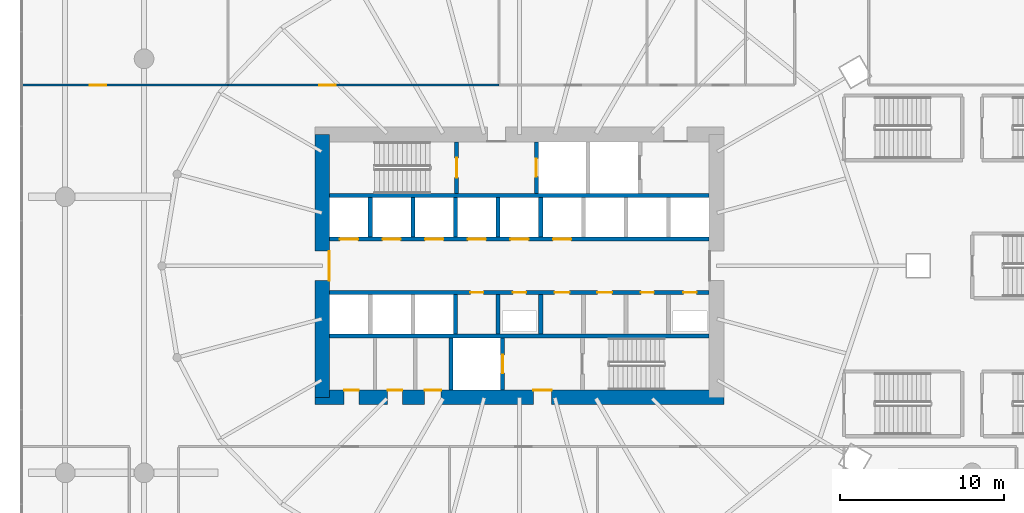
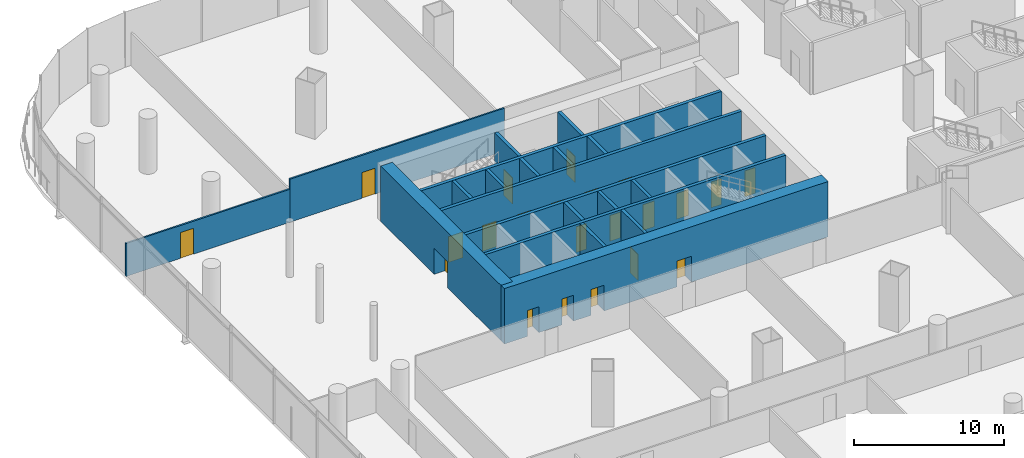
# One storey, part 27 of 43: 22 doors, 20 walls, 22 openings.
"""IFC4 building model written with IfcOpenShell, lengths in metres."""

import ifcopenshell
import ifcopenshell.guid

model = None  # the IFC model being written
_history = None  # IfcOwnerHistory: only IFC2X3 demands one
_inside = {}  # id of a spatial element -> (the spatial element, [elements in it])
_under = {}  # id of a project, library or spatial element -> (it, [spatial elements below it])
_declared = {}  # id of a project -> (the project, [libraries it declares])
_typed = {}  # id of a type object -> (the type object, [elements of that type])
_made_of = {}  # id of a material, layer set ... -> (it, [elements and type objects made of it])


def new_model(schema):
    """Start an empty IFC model of exactly this schema.

    Asked for "IFC4X3", IfcOpenShell would pick the latest addendum, in which some entities
    have other attributes; the version numbers below select the first issue.
    IFC2X3 requires an IfcOwnerHistory on every rooted entity: one is made here for all.
    """
    global model, _history
    if schema == "IFC4X3":
        model = ifcopenshell.file(schema_version=(4, 3, 0, 0))
    else:
        model = ifcopenshell.file(schema=schema)
    _inside.clear()
    _under.clear()
    _declared.clear()
    _typed.clear()
    _made_of.clear()
    _history = None
    if model.schema == "IFC2X3":
        org = make("IfcOrganization", Name="unknown")
        user = make(
            "IfcPersonAndOrganization",
            ThePerson=make("IfcPerson", FamilyName="unknown"),
            TheOrganization=org,
        )
        app = make(
            "IfcApplication",
            ApplicationDeveloper=org,
            Version="unknown",
            ApplicationFullName="unknown",
            ApplicationIdentifier="unknown",
        )
        _history = make(
            "IfcOwnerHistory",
            OwningUser=user,
            OwningApplication=app,
            ChangeAction="ADDED",
            CreationDate=0,
        )
    return model


def make(cls, **values):
    """One entity of the class cls with the attributes given. An attribute that is None is left unset."""
    return model.create_entity(
        cls, **{name: value for name, value in values.items() if value is not None}
    )


def rooted(cls, **values):
    """An entity with a GlobalId (a new one), such as an element, a storey or a relation."""
    return make(cls, GlobalId=ifcopenshell.guid.new(), OwnerHistory=_history, **values)


def si_unit(unit_type, name, prefix=None):
    """IfcSIUnit, for example si_unit("LENGTHUNIT", "METRE", prefix="MILLI")."""
    return make("IfcSIUnit", UnitType=unit_type, Prefix=prefix, Name=name)


def assignment(units):
    """IfcUnitAssignment: the units of a project."""
    return None if units is None else make("IfcUnitAssignment", Units=units)


def point(xyz):
    """IfcCartesianPoint."""
    return None if xyz is None else make("IfcCartesianPoint", Coordinates=xyz)


def direction(xyz):
    """IfcDirection."""
    return None if xyz is None else make("IfcDirection", DirectionRatios=xyz)


def frame(location, z_axis=None, x_axis=None):
    """IfcAxis2Placement3D, a coordinate frame: its origin and axes. An axis left out is left unset."""
    return make(
        "IfcAxis2Placement3D",
        Location=point(location),
        Axis=direction(z_axis),
        RefDirection=direction(x_axis),
    )


def frame_2d(location, x_axis=None):
    """IfcAxis2Placement2D, a coordinate frame in the plane: its origin and x axis."""
    return make(
        "IfcAxis2Placement2D", Location=point(location), RefDirection=direction(x_axis)
    )


def origin():
    """The frame at (0, 0, 0) with its axes left unset."""
    return frame((0.0, 0.0, 0.0))


def place(relative_to, where):
    """IfcLocalPlacement: puts the frame where relative to a parent placement (None: the world)."""
    return make(
        "IfcLocalPlacement", PlacementRelTo=relative_to, RelativePlacement=where
    )


def context(
    kind, dimensions, precision=None, world=None, true_north=None, identifier=None
):
    """IfcGeometricRepresentationContext, for example the 3D "Model" context."""
    return make(
        "IfcGeometricRepresentationContext",
        ContextIdentifier=identifier,
        ContextType=kind,
        CoordinateSpaceDimension=dimensions,
        Precision=precision,
        WorldCoordinateSystem=world,
        TrueNorth=true_north,
    )


def subcontext(parent, identifier, kind, view, scale=None):
    """IfcGeometricRepresentationSubContext, for example "Body" below "Model"."""
    return make(
        "IfcGeometricRepresentationSubContext",
        ContextIdentifier=identifier,
        ContextType=kind,
        ParentContext=parent,
        TargetScale=scale,
        TargetView=view,
    )


def project(units=None, contexts=None):
    """IfcProject with its units and contexts."""
    return rooted(
        "IfcProject",
        Name="project",
        RepresentationContexts=contexts,
        UnitsInContext=assignment(units),
    )


def spatial(cls, under=None, at=None, **own):
    """A site, building, storey or space (cls), placed at a placement, below another one or the project."""
    s = rooted(cls, ObjectPlacement=at, **own)
    if under is not None:
        _under.setdefault(under.id(), (under, []))[1].append(s)
    return s


def profile(cls, at=None, kind="AREA", **sizes):
    """A parametric profile (cls). Its sizes go by their IFC names, for example OverallWidth=200.0."""
    return make(cls, ProfileType=kind, Position=at, **sizes)


def rectangle(**sizes):
    """IfcRectangleProfileDef."""
    return profile("IfcRectangleProfileDef", **sizes)


def extrude(swept, where, along, depth):
    """IfcExtrudedAreaSolid: the profile swept, set in the frame where, extruded along a direction by depth."""
    return make(
        "IfcExtrudedAreaSolid",
        SweptArea=swept,
        Position=where,
        ExtrudedDirection=direction(along),
        Depth=depth,
    )


def shape(context_of_items, identifier, shape_type, items):
    """IfcShapeRepresentation: the items that make up one representation, for example the "Body"."""
    return make(
        "IfcShapeRepresentation",
        ContextOfItems=context_of_items,
        RepresentationIdentifier=identifier,
        RepresentationType=shape_type,
        Items=items,
    )


def material(Name=None, Category=None):
    """IfcMaterial."""
    return make("IfcMaterial", Name=Name, Category=Category)


def layer(
    of_material, thickness, ventilated=None, Name=None, Category=None, Priority=None
):
    """IfcMaterialLayer: one layer of a wall or slab, of a material (None: an air gap)."""
    return make(
        "IfcMaterialLayer",
        Material=of_material,
        LayerThickness=thickness,
        IsVentilated=ventilated,
        Name=Name,
        Category=Category,
        Priority=Priority,
    )


def layer_set(layers, Name=None):
    """IfcMaterialLayerSet."""
    return make("IfcMaterialLayerSet", MaterialLayers=layers, LayerSetName=Name)


def made_of(thing, what):
    """Note that an element or type object is made of a material, layer set ...; save() writes the relation."""
    if what is not None:
        _made_of.setdefault(what.id(), (what, []))[1].append(thing)
    return thing


def type_object(cls, material=None, **own):
    """A type object (cls), such as IfcWallType, which elements share."""
    return made_of(rooted(cls, **own), material)


def element(
    cls,
    number,
    at=None,
    inside=None,
    cuts=None,
    type_object=None,
    material=None,
    context=None,
    identifier="Body",
    shape_type=None,
    held_by="IfcProductDefinitionShape",
    body=None,
    shapes=None,
    **own,
):
    """One element of the class cls, such as IfcWall. Its Tag is "e" and its number.

    at: its placement. inside: the storey or other place that contains it. cuts: it is an
    opening in that element (IfcRelVoidsElement). A single representation is given by context,
    identifier, shape_type and body (its items); several are given by shapes. held_by: the class
    of the entity that holds the representations. save() writes the other relations.
    """
    e = rooted(cls, Tag="e%d" % number, ObjectPlacement=at, **own)
    if body is not None:
        shapes = [shape(context, identifier, shape_type, body)]
    if shapes is not None:
        e.Representation = make(held_by, Representations=shapes)
    if inside is not None:
        _inside.setdefault(inside.id(), (inside, []))[1].append(e)
    if cuts is not None:
        rooted(
            "IfcRelVoidsElement", RelatingBuildingElement=cuts, RelatedOpeningElement=e
        )
    if type_object is not None:
        _typed.setdefault(type_object.id(), (type_object, []))[1].append(e)
    return made_of(e, material)


def fill(opening, filler):
    """IfcRelFillsElement: the door or window that sits in an opening."""
    return rooted(
        "IfcRelFillsElement",
        RelatingOpeningElement=opening,
        RelatedBuildingElement=filler,
    )


def aggregate(whole, parts):
    """IfcRelAggregates: a whole, such as a stair, and the parts it consists of."""
    return rooted("IfcRelAggregates", RelatingObject=whole, RelatedObjects=parts)


def save(model, path):
    """Write the relations noted so far, then the file.

    IfcRelAggregates (storeys below a building ...), IfcRelContainedInSpatialStructure (elements
    in a storey), IfcRelDefinesByType, IfcRelAssociatesMaterial and IfcRelDeclares: one each for
    every whole, place, type object, material and project.
    """
    for whole, parts in _under.values():
        aggregate(whole, parts)
    for where, things in _inside.values():
        rooted(
            "IfcRelContainedInSpatialStructure",
            RelatedElements=things,
            RelatingStructure=where,
        )
    for kind, things in _typed.values():
        rooted("IfcRelDefinesByType", RelatedObjects=things, RelatingType=kind)
    for what, things in _made_of.values():
        rooted("IfcRelAssociatesMaterial", RelatedObjects=things, RelatingMaterial=what)
    for by, libraries in _declared.values():
        rooted("IfcRelDeclares", RelatingContext=by, RelatedDefinitions=libraries)
    model.write(path)


model = new_model("IFC4")

# Units and contexts
model_context = context("Model", 3, precision=1e-05, world=origin(), true_north=direction((0.0, 1.0)))
body_context = subcontext(model_context, "Body", "Model", "MODEL_VIEW")
ifc_project = project(units=[si_unit("LENGTHUNIT", "METRE"), si_unit("AREAUNIT", "SQUARE_METRE"), si_unit("VOLUMEUNIT", "CUBIC_METRE"), si_unit("PLANEANGLEUNIT", "RADIAN"), si_unit("MASSUNIT", "GRAM", prefix="KILO")], contexts=[model_context])

# Site, building, storey
site_placement = place(None, origin())
site = spatial("IfcSite", under=ifc_project, at=site_placement, CompositionType="ELEMENT")
building_placement = place(site_placement, origin())
building = spatial("IfcBuilding", under=site, at=building_placement, Name="Rimbun Link Towers", CompositionType="ELEMENT")
storey_placement = place(building_placement, frame((0.0, 0.0, 12.0)))
storey = spatial("IfcBuildingStorey", under=building, at=storey_placement, Name="L02", CompositionType="ELEMENT", Elevation=12.0)

# Wall, openings, doors
ifc_material_1 = material(Name="Concrete C60/75", Category="concrete")
ifc_layer_1 = layer(ifc_material_1, 0.89990234375)
ifc_layer_set_1 = layer_set([ifc_layer_1], Name="Core shear wall 900")
wall_type_1 = type_object("IfcWallType", Name="Core shear wall 900", PredefinedType="SHEAR", material=ifc_layer_set_1)
wall_1_placement = place(storey_placement, frame((-44.199951171875, -8.0, 0.0), z_axis=(0.0, 0.0, 1.0), x_axis=(1.0, 0.0, 0.0)))
wall_1 = element("IfcWall", 1, at=wall_1_placement, inside=storey, type_object=wall_type_1, Name="L02 T1 core wall S", PredefinedType="SHEAR", context=body_context, shape_type="SweptSolid", body=[
    extrude(rectangle(XDim=24.89990234375, YDim=0.89990234375, at=frame_2d((12.449951171875, 0.0))), origin(), (0.0, 0.0, 1.0), 4.5),
])
opening_1_placement = place(wall_1_placement, frame((13.300048828125, 0.0, 0.0)))
opening_1 = element("IfcOpeningElement", 2, at=opening_1_placement, cuts=wall_1, Name="Opening C1DCF01S", PredefinedType="OPENING", context=body_context, shape_type="SweptSolid", body=[
    extrude(rectangle(XDim=1.10009765625, YDim=2.10009765625, at=frame_2d((0.550048828125, 1.050048828125))), frame((0.0, 0.4599609375, 0.0), z_axis=(0.0, -1.0, 0.0), x_axis=(1.0, 0.0, 0.0)), (0.0, 0.0, 1.0), 0.919921875),
])
opening_2_placement = place(wall_1_placement, frame((1.77490234375, 0.0, 0.0)))
opening_2 = element("IfcOpeningElement", 3, at=opening_2_placement, cuts=wall_1, Name="Opening C1DWC02S", PredefinedType="OPENING", context=body_context, shape_type="SweptSolid", body=[
    extrude(rectangle(XDim=0.89990234375, YDim=2.10009765625, at=frame_2d((0.449951171875, 1.050048828125))), frame((0.0, 0.4599609375, 0.0), z_axis=(0.0, -1.0, 0.0), x_axis=(1.0, 0.0, 0.0)), (0.0, 0.0, 1.0), 0.919921875),
])
opening_3_placement = place(wall_1_placement, frame((4.425048828125, 0.0, 0.0)))
opening_3 = element("IfcOpeningElement", 4, at=opening_3_placement, cuts=wall_1, Name="Opening C1DWC03S", PredefinedType="OPENING", context=body_context, shape_type="SweptSolid", body=[
    extrude(rectangle(XDim=0.89990234375, YDim=2.10009765625, at=frame_2d((0.449951171875, 1.050048828125))), frame((0.0, 0.4599609375, 0.0), z_axis=(0.0, -1.0, 0.0), x_axis=(1.0, 0.0, 0.0)), (0.0, 0.0, 1.0), 0.919921875),
])
opening_4_placement = place(wall_1_placement, frame((6.675048828125, 0.0, 0.0)))
opening_4 = element("IfcOpeningElement", 5, at=opening_4_placement, cuts=wall_1, Name="Opening C1DAW04S", PredefinedType="OPENING", context=body_context, shape_type="SweptSolid", body=[
    extrude(rectangle(XDim=1.0, YDim=2.10009765625, at=frame_2d((0.5, 1.050048828125))), frame((0.0, 0.4599609375, 0.0), z_axis=(0.0, -1.0, 0.0), x_axis=(1.0, 0.0, 0.0)), (0.0, 0.0, 1.0), 0.919921875),
])
ifc_material_2 = material(Name="Timber", Category="wood")
door_type_1 = type_object("IfcDoorType", Name="Accessible WC door", OperationType="SINGLE_SWING_LEFT", PredefinedType="DOOR", material=ifc_material_2)
door_1_placement = place(opening_4_placement, origin())
door_1 = element("IfcDoor", 6, at=door_1_placement, inside=storey, type_object=door_type_1, Name="L02 T1 accessible wc door", OperationType="SINGLE_SWING_RIGHT", OverallHeight=2.10009765625, OverallWidth=1.0, PredefinedType="DOOR", context=body_context, shape_type="SweptSolid", body=[
    extrude(rectangle(XDim=1.0, YDim=2.10009765625, at=frame_2d((0.5, 1.050048828125))), frame((0.0, 0.4501953125, 0.0), z_axis=(0.0, -1.0, 0.0), x_axis=(1.0, 0.0, 0.0)), (0.0, 0.0, 1.0), 0.050048828125),
])
fill(opening_4, door_1)
ifc_material_3 = material(Name="Steel fire door set", Category="steel")
door_type_2 = type_object("IfcDoorType", Name="Core fire door single", OperationType="SINGLE_SWING_LEFT", PredefinedType="DOOR", material=ifc_material_3)
door_2_placement = place(opening_1_placement, origin())
door_2 = element("IfcDoor", 7, at=door_2_placement, inside=storey, type_object=door_type_2, Name="L02 T1 firefighting lobby s door", OperationType="SINGLE_SWING_RIGHT", OverallHeight=2.10009765625, OverallWidth=1.10009765625, PredefinedType="DOOR", context=body_context, shape_type="SweptSolid", body=[
    extrude(rectangle(XDim=1.10009765625, YDim=2.10009765625, at=frame_2d((0.550048828125, 1.050048828125))), frame((0.0, 0.4501953125, 0.0), z_axis=(0.0, -1.0, 0.0), x_axis=(1.0, 0.0, 0.0)), (0.0, 0.0, 1.0), 0.050048828125),
])
fill(opening_1, door_2)
ifc_material_4 = material(Name="Timber", Category="wood")
door_type_3 = type_object("IfcDoorType", Name="WC door", OperationType="SINGLE_SWING_LEFT", PredefinedType="DOOR", material=ifc_material_4)
door_3_placement = place(opening_2_placement, origin())
door_3 = element("IfcDoor", 8, at=door_3_placement, inside=storey, type_object=door_type_3, Name="L02 T1 male wc door", OperationType="SINGLE_SWING_LEFT", OverallHeight=2.10009765625, OverallWidth=0.89990234375, PredefinedType="DOOR", context=body_context, shape_type="SweptSolid", body=[
    extrude(rectangle(XDim=0.89990234375, YDim=2.10009765625, at=frame_2d((0.449951171875, 1.050048828125))), frame((0.0, 0.4501953125, 0.0), z_axis=(0.0, -1.0, 0.0), x_axis=(1.0, 0.0, 0.0)), (0.0, 0.0, 1.0), 0.050048828125),
])
fill(opening_2, door_3)
door_4_placement = place(opening_3_placement, origin())
door_4 = element("IfcDoor", 9, at=door_4_placement, inside=storey, type_object=door_type_3, Name="L02 T1 female wc door", OperationType="SINGLE_SWING_RIGHT", OverallHeight=2.10009765625, OverallWidth=0.89990234375, PredefinedType="DOOR", context=body_context, shape_type="SweptSolid", body=[
    extrude(rectangle(XDim=0.89990234375, YDim=2.10009765625, at=frame_2d((0.449951171875, 1.050048828125))), frame((0.0, 0.4501953125, 0.0), z_axis=(0.0, -1.0, 0.0), x_axis=(1.0, 0.0, 0.0)), (0.0, 0.0, 1.0), 0.050048828125),
])
fill(opening_3, door_4)

# Wall, opening, door
wall_2_placement = place(storey_placement, frame((-43.75, -8.0, 0.0), z_axis=(0.0, 0.0, 1.0), x_axis=(0.0, 1.0, 0.0)))
wall_2 = element("IfcWall", 10, at=wall_2_placement, inside=storey, type_object=wall_type_1, Name="L02 T1 core wall W", PredefinedType="SHEAR", context=body_context, shape_type="SweptSolid", body=[
    extrude(rectangle(XDim=16.0, YDim=0.89990234375, at=frame_2d((8.0, 0.0))), origin(), (0.0, 0.0, 1.0), 4.5),
])
opening_5_placement = place(wall_2_placement, frame((7.10009765625, 0.0, 0.0)))
opening_5 = element("IfcOpeningElement", 11, at=opening_5_placement, cuts=wall_2, Name="Opening C1DCL01W", PredefinedType="OPENING", context=body_context, shape_type="SweptSolid", body=[
    extrude(rectangle(XDim=1.800048828125, YDim=2.10009765625, at=frame_2d((0.89990234375, 1.050048828125))), frame((0.0, 0.4599609375, 0.0), z_axis=(0.0, -1.0, 0.0), x_axis=(1.0, 0.0, 0.0)), (0.0, 0.0, 1.0), 0.919921875),
])
ifc_material_5 = material(Name="Steel fire door set", Category="steel")
door_type_4 = type_object("IfcDoorType", Name="Core lobby door double", OperationType="DOUBLE_DOOR_SINGLE_SWING", PredefinedType="DOOR", material=ifc_material_5)
door_5_placement = place(opening_5_placement, origin())
door_5 = element("IfcDoor", 12, at=door_5_placement, inside=storey, type_object=door_type_4, Name="L02 T1 lift lobby door", OperationType="DOUBLE_DOOR_SINGLE_SWING", OverallHeight=2.10009765625, OverallWidth=1.800048828125, PredefinedType="DOOR", context=body_context, shape_type="SweptSolid", body=[
    extrude(rectangle(XDim=1.800048828125, YDim=2.10009765625, at=frame_2d((0.89990234375, 1.050048828125))), frame((0.0, -0.39990234375, 0.0), z_axis=(0.0, -1.0, 0.0), x_axis=(1.0, 0.0, 0.0)), (0.0, 0.0, 1.0), 0.050048828125),
])
fill(opening_5, door_5)

ifc_material_6 = material(Name="Gypsum board on steel studs", Category="steel")
ifc_layer_2 = layer(ifc_material_6, 0.125)
ifc_layer_set_2 = layer_set([ifc_layer_2], Name="Partition 125 board on studs")
wall_type_2 = type_object("IfcWallType", Name="Partition 125 board on studs", PredefinedType="PARTITIONING", material=ifc_layer_set_2)
wall_3_placement = place(storey_placement, frame((-49.5, 11.0, 0.0), z_axis=(0.0, 0.0, 1.0), x_axis=(-1.0, 0.0, 0.0)))
wall_3 = element("IfcWall", 13, at=wall_3_placement, inside=storey, type_object=wall_type_2, Name="PD/PW/L02/038", PredefinedType="PARTITIONING", context=body_context, shape_type="SweptSolid", body=[
    extrude(rectangle(XDim=12.580078125, YDim=0.125, at=frame_2d((6.2900390625, 0.0))), origin(), (0.0, 0.0, 1.0), 2.679931640625),
])
opening_6_placement = place(wall_3_placement, frame((7.39208984375, 0.0, 0.0)))
opening_6 = element("IfcOpeningElement", 14, at=opening_6_placement, cuts=wall_3, Name="Opening PD D02.26", PredefinedType="OPENING", context=body_context, shape_type="SweptSolid", body=[
    extrude(rectangle(XDim=1.0, YDim=2.10009765625, at=frame_2d((0.5, 1.050048828125))), frame((0.0, 0.072509765625, 0.0), z_axis=(0.0, -1.0, 0.0), x_axis=(1.0, 0.0, 0.0)), (0.0, 0.0, 1.0), 0.14501953125),
])
ifc_material_7 = material(Name="Timber door set", Category="wood")
door_type_5 = type_object("IfcDoorType", Name="Door single leaf 1000 x 2100", OperationType="NOTDEFINED", PredefinedType="DOOR", material=ifc_material_7)
door_6_placement = place(opening_6_placement, origin())
door_6 = element("IfcDoor", 15, at=door_6_placement, inside=storey, type_object=door_type_5, Name="PD/DR/L02/026", OperationType="SINGLE_SWING_LEFT", OverallHeight=2.10009765625, OverallWidth=1.0, PredefinedType="DOOR", context=body_context, shape_type="SweptSolid", body=[
    extrude(rectangle(XDim=1.0, YDim=2.10009765625, at=frame_2d((0.5, 1.050048828125))), frame((0.0, 0.02490234375, 0.0), z_axis=(0.0, -1.0, 0.0), x_axis=(1.0, 0.0, 0.0)), (0.0, 0.0, 1.0), 0.050048828125),
])
fill(opening_6, door_6)

wall_4_placement = place(storey_placement, frame((-33.0, 11.0, 0.0), z_axis=(0.0, 0.0, 1.0), x_axis=(-1.0, 0.0, 0.0)))
wall_4 = element("IfcWall", 16, at=wall_4_placement, inside=storey, type_object=wall_type_2, Name="PD/PW/L02/039", PredefinedType="PARTITIONING", context=body_context, shape_type="SweptSolid", body=[
    extrude(rectangle(XDim=16.5, YDim=0.125, at=frame_2d((8.25, 0.0))), origin(), (0.0, 0.0, 1.0), 3.49609375),
])
opening_7_placement = place(wall_4_placement, frame((9.93994140625, 0.0, 0.0)))
opening_7 = element("IfcOpeningElement", 17, at=opening_7_placement, cuts=wall_4, Name="Opening PD D02.27", PredefinedType="OPENING", context=body_context, shape_type="SweptSolid", body=[
    extrude(rectangle(XDim=1.0, YDim=2.10009765625, at=frame_2d((0.5, 1.050048828125))), frame((0.0, 0.072509765625, 0.0), z_axis=(0.0, -1.0, 0.0), x_axis=(1.0, 0.0, 0.0)), (0.0, 0.0, 1.0), 0.14501953125),
])
door_7_placement = place(opening_7_placement, origin())
door_7 = element("IfcDoor", 18, at=door_7_placement, inside=storey, type_object=door_type_5, Name="PD/DR/L02/027", OperationType="SINGLE_SWING_RIGHT", OverallHeight=2.10009765625, OverallWidth=1.0, PredefinedType="DOOR", context=body_context, shape_type="SweptSolid", body=[
    extrude(rectangle(XDim=1.0, YDim=2.10009765625, at=frame_2d((0.5, 1.050048828125))), frame((0.0, 0.02490234375, 0.0), z_axis=(0.0, -1.0, 0.0), x_axis=(1.0, 0.0, 0.0)), (0.0, 0.0, 1.0), 0.050048828125),
])
fill(opening_7, door_7)

# Walls
ifc_material_8 = material(Name="Concrete C60/75", Category="concrete")
ifc_layer_3 = layer(ifc_material_8, 0.25)
ifc_layer_set_3 = layer_set([ifc_layer_3], Name="Shaft wall 250")
wall_type_3 = type_object("IfcWallType", Name="Shaft wall 250", PredefinedType="SHEAR", material=ifc_layer_set_3)
for number, where, z_axis, x_axis, name in (
    (19, (-43.300048828125, 4.27490234375, 0.0), (0.0, 0.0, 1.0), (1.0, 0.0, 0.0), "L02 T1 core wall BN"),
    (20, (-43.300048828125, -4.27490234375, 0.0), (0.0, 0.0, 1.0), (1.0, 0.0, 0.0), "L02 T1 core wall BS"),
):
    element("IfcWall", number, at=place(storey_placement, frame(where, z_axis=z_axis, x_axis=x_axis)), inside=storey, type_object=wall_type_3, Name=name, PredefinedType="SHEAR", context=body_context, shape_type="SweptSolid", body=[
        extrude(rectangle(XDim=23.10009765625, YDim=0.25, at=frame_2d((11.550048828125, 0.0))), origin(), (0.0, 0.0, 1.0), 4.5),
    ])

# Wall, openings, doors
wall_5_placement = place(storey_placement, frame((-43.300048828125, 1.625, 0.0), z_axis=(0.0, 0.0, 1.0), x_axis=(1.0, 0.0, 0.0)))
wall_5 = element("IfcWall", 21, at=wall_5_placement, inside=storey, type_object=wall_type_3, Name="L02 T1 core wall FN", PredefinedType="SHEAR", context=body_context, shape_type="SweptSolid", body=[
    extrude(rectangle(XDim=23.10009765625, YDim=0.25, at=frame_2d((11.550048828125, 0.0))), origin(), (0.0, 0.0, 1.0), 4.5),
])
opening_8_placement = place(wall_5_placement, frame((0.622314453125, 0.0, 0.0)))
opening_8 = element("IfcOpeningElement", 22, at=opening_8_placement, cuts=wall_5, Name="Opening LD-T1-LR1", PredefinedType="OPENING", context=body_context, shape_type="SweptSolid", body=[
    extrude(rectangle(XDim=1.10009765625, YDim=2.10009765625, at=frame_2d((0.550048828125, 1.050048828125))), frame((0.0, 0.135009765625, 0.0), z_axis=(0.0, -1.0, 0.0), x_axis=(1.0, 0.0, 0.0)), (0.0, 0.0, 1.0), 0.27001953125),
])
opening_9_placement = place(wall_5_placement, frame((3.216796875, 0.0, 0.0)))
opening_9 = element("IfcOpeningElement", 23, at=opening_9_placement, cuts=wall_5, Name="Opening LD-T1-LR2", PredefinedType="OPENING", context=body_context, shape_type="SweptSolid", body=[
    extrude(rectangle(XDim=1.10009765625, YDim=2.10009765625, at=frame_2d((0.550048828125, 1.050048828125))), frame((0.0, 0.135009765625, 0.0), z_axis=(0.0, -1.0, 0.0), x_axis=(1.0, 0.0, 0.0)), (0.0, 0.0, 1.0), 0.27001953125),
])
opening_10_placement = place(wall_5_placement, frame((5.81103515625, 0.0, 0.0)))
opening_10 = element("IfcOpeningElement", 24, at=opening_10_placement, cuts=wall_5, Name="Opening LD-T1-LR3", PredefinedType="OPENING", context=body_context, shape_type="SweptSolid", body=[
    extrude(rectangle(XDim=1.10009765625, YDim=2.10009765625, at=frame_2d((0.550048828125, 1.050048828125))), frame((0.0, 0.135009765625, 0.0), z_axis=(0.0, -1.0, 0.0), x_axis=(1.0, 0.0, 0.0)), (0.0, 0.0, 1.0), 0.27001953125),
])
opening_11_placement = place(wall_5_placement, frame((8.405517578125, 0.0, 0.0)))
opening_11 = element("IfcOpeningElement", 25, at=opening_11_placement, cuts=wall_5, Name="Opening LD-T1-LR4", PredefinedType="OPENING", context=body_context, shape_type="SweptSolid", body=[
    extrude(rectangle(XDim=1.10009765625, YDim=2.10009765625, at=frame_2d((0.550048828125, 1.050048828125))), frame((0.0, 0.135009765625, 0.0), z_axis=(0.0, -1.0, 0.0), x_axis=(1.0, 0.0, 0.0)), (0.0, 0.0, 1.0), 0.27001953125),
])
opening_12_placement = place(wall_5_placement, frame((11.0, 0.0, 0.0)))
opening_12 = element("IfcOpeningElement", 26, at=opening_12_placement, cuts=wall_5, Name="Opening LD-T1-LR5", PredefinedType="OPENING", context=body_context, shape_type="SweptSolid", body=[
    extrude(rectangle(XDim=1.10009765625, YDim=2.10009765625, at=frame_2d((0.550048828125, 1.050048828125))), frame((0.0, 0.135009765625, 0.0), z_axis=(0.0, -1.0, 0.0), x_axis=(1.0, 0.0, 0.0)), (0.0, 0.0, 1.0), 0.27001953125),
])
opening_13_placement = place(wall_5_placement, frame((13.594482421875, 0.0, 0.0)))
opening_13 = element("IfcOpeningElement", 27, at=opening_13_placement, cuts=wall_5, Name="Opening LD-T1-LR6", PredefinedType="OPENING", context=body_context, shape_type="SweptSolid", body=[
    extrude(rectangle(XDim=1.10009765625, YDim=2.10009765625, at=frame_2d((0.550048828125, 1.050048828125))), frame((0.0, 0.135009765625, 0.0), z_axis=(0.0, -1.0, 0.0), x_axis=(1.0, 0.0, 0.0)), (0.0, 0.0, 1.0), 0.27001953125),
])
ifc_material_9 = material(Name="Stainless steel grade 316", Category="steel")
door_type_6 = type_object("IfcDoorType", Name="Lift landing door", OperationType="DOUBLE_DOOR_SLIDING", PredefinedType="DOOR", material=ifc_material_9)
door_8_placement = place(opening_8_placement, origin())
door_8 = element("IfcDoor", 28, at=door_8_placement, inside=storey, type_object=door_type_6, Name="L02 T1 lift LR1 landing door", OperationType="DOUBLE_DOOR_SLIDING", OverallHeight=2.10009765625, OverallWidth=1.10009765625, PredefinedType="DOOR", context=body_context, shape_type="SweptSolid", body=[
    extrude(rectangle(XDim=1.10009765625, YDim=2.10009765625, at=frame_2d((0.550048828125, 1.050048828125))), frame((0.0, 0.02490234375, 0.0), z_axis=(0.0, -1.0, 0.0), x_axis=(1.0, 0.0, 0.0)), (0.0, 0.0, 1.0), 0.050048828125),
])
fill(opening_8, door_8)
door_9_placement = place(opening_9_placement, origin())
door_9 = element("IfcDoor", 29, at=door_9_placement, inside=storey, type_object=door_type_6, Name="L02 T1 lift LR2 landing door", OperationType="DOUBLE_DOOR_SLIDING", OverallHeight=2.10009765625, OverallWidth=1.10009765625, PredefinedType="DOOR", context=body_context, shape_type="SweptSolid", body=[
    extrude(rectangle(XDim=1.10009765625, YDim=2.10009765625, at=frame_2d((0.550048828125, 1.050048828125))), frame((0.0, 0.02490234375, 0.0), z_axis=(0.0, -1.0, 0.0), x_axis=(1.0, 0.0, 0.0)), (0.0, 0.0, 1.0), 0.050048828125),
])
fill(opening_9, door_9)
door_10_placement = place(opening_10_placement, origin())
door_10 = element("IfcDoor", 30, at=door_10_placement, inside=storey, type_object=door_type_6, Name="L02 T1 lift LR3 landing door", OperationType="DOUBLE_DOOR_SLIDING", OverallHeight=2.10009765625, OverallWidth=1.10009765625, PredefinedType="DOOR", context=body_context, shape_type="SweptSolid", body=[
    extrude(rectangle(XDim=1.10009765625, YDim=2.10009765625, at=frame_2d((0.550048828125, 1.050048828125))), frame((0.0, 0.02490234375, 0.0), z_axis=(0.0, -1.0, 0.0), x_axis=(1.0, 0.0, 0.0)), (0.0, 0.0, 1.0), 0.050048828125),
])
fill(opening_10, door_10)
door_11_placement = place(opening_11_placement, origin())
door_11 = element("IfcDoor", 31, at=door_11_placement, inside=storey, type_object=door_type_6, Name="L02 T1 lift LR4 landing door", OperationType="DOUBLE_DOOR_SLIDING", OverallHeight=2.10009765625, OverallWidth=1.10009765625, PredefinedType="DOOR", context=body_context, shape_type="SweptSolid", body=[
    extrude(rectangle(XDim=1.10009765625, YDim=2.10009765625, at=frame_2d((0.550048828125, 1.050048828125))), frame((0.0, 0.02490234375, 0.0), z_axis=(0.0, -1.0, 0.0), x_axis=(1.0, 0.0, 0.0)), (0.0, 0.0, 1.0), 0.050048828125),
])
fill(opening_11, door_11)
door_12_placement = place(opening_12_placement, origin())
door_12 = element("IfcDoor", 32, at=door_12_placement, inside=storey, type_object=door_type_6, Name="L02 T1 lift LR5 landing door", OperationType="DOUBLE_DOOR_SLIDING", OverallHeight=2.10009765625, OverallWidth=1.10009765625, PredefinedType="DOOR", context=body_context, shape_type="SweptSolid", body=[
    extrude(rectangle(XDim=1.10009765625, YDim=2.10009765625, at=frame_2d((0.550048828125, 1.050048828125))), frame((0.0, 0.02490234375, 0.0), z_axis=(0.0, -1.0, 0.0), x_axis=(1.0, 0.0, 0.0)), (0.0, 0.0, 1.0), 0.050048828125),
])
fill(opening_12, door_12)
door_13_placement = place(opening_13_placement, origin())
door_13 = element("IfcDoor", 33, at=door_13_placement, inside=storey, type_object=door_type_6, Name="L02 T1 lift LR6 landing door", OperationType="DOUBLE_DOOR_SLIDING", OverallHeight=2.10009765625, OverallWidth=1.10009765625, PredefinedType="DOOR", context=body_context, shape_type="SweptSolid", body=[
    extrude(rectangle(XDim=1.10009765625, YDim=2.10009765625, at=frame_2d((0.550048828125, 1.050048828125))), frame((0.0, 0.02490234375, 0.0), z_axis=(0.0, -1.0, 0.0), x_axis=(1.0, 0.0, 0.0)), (0.0, 0.0, 1.0), 0.050048828125),
])
fill(opening_13, door_13)

wall_6_placement = place(storey_placement, frame((-43.300048828125, -1.625, 0.0), z_axis=(0.0, 0.0, 1.0), x_axis=(1.0, 0.0, 0.0)))
wall_6 = element("IfcWall", 34, at=wall_6_placement, inside=storey, type_object=wall_type_3, Name="L02 T1 core wall FS", PredefinedType="SHEAR", context=body_context, shape_type="SweptSolid", body=[
    extrude(rectangle(XDim=23.10009765625, YDim=0.25, at=frame_2d((11.550048828125, 0.0))), origin(), (0.0, 0.0, 1.0), 4.5),
])
opening_14_placement = place(wall_6_placement, frame((8.5556640625, 0.0, 0.0)))
opening_14 = element("IfcOpeningElement", 35, at=opening_14_placement, cuts=wall_6, Name="Opening C1DRA01FS", PredefinedType="OPENING", context=body_context, shape_type="SweptSolid", body=[
    extrude(rectangle(XDim=0.800048828125, YDim=2.10009765625, at=frame_2d((0.39990234375, 1.050048828125))), frame((0.0, 0.135009765625, 0.0), z_axis=(0.0, -1.0, 0.0), x_axis=(1.0, 0.0, 0.0)), (0.0, 0.0, 1.0), 0.27001953125),
])
opening_15_placement = place(wall_6_placement, frame((11.14990234375, 0.0, 0.0)))
opening_15 = element("IfcOpeningElement", 36, at=opening_15_placement, cuts=wall_6, Name="Opening C1DRA02FS", PredefinedType="OPENING", context=body_context, shape_type="SweptSolid", body=[
    extrude(rectangle(XDim=0.800048828125, YDim=2.10009765625, at=frame_2d((0.39990234375, 1.050048828125))), frame((0.0, 0.135009765625, 0.0), z_axis=(0.0, -1.0, 0.0), x_axis=(1.0, 0.0, 0.0)), (0.0, 0.0, 1.0), 0.27001953125),
])
opening_16_placement = place(wall_6_placement, frame((13.6943359375, 0.0, 0.0)))
opening_16 = element("IfcOpeningElement", 37, at=opening_16_placement, cuts=wall_6, Name="Opening C1DRS03FS", PredefinedType="OPENING", context=body_context, shape_type="SweptSolid", body=[
    extrude(rectangle(XDim=0.89990234375, YDim=2.10009765625, at=frame_2d((0.449951171875, 1.050048828125))), frame((0.0, 0.135009765625, 0.0), z_axis=(0.0, -1.0, 0.0), x_axis=(1.0, 0.0, 0.0)), (0.0, 0.0, 1.0), 0.27001953125),
])
opening_17_placement = place(wall_6_placement, frame((16.288818359375, 0.0, 0.0)))
opening_17 = element("IfcOpeningElement", 38, at=opening_17_placement, cuts=wall_6, Name="Opening C1DRS04FS", PredefinedType="OPENING", context=body_context, shape_type="SweptSolid", body=[
    extrude(rectangle(XDim=0.89990234375, YDim=2.10009765625, at=frame_2d((0.449951171875, 1.050048828125))), frame((0.0, 0.135009765625, 0.0), z_axis=(0.0, -1.0, 0.0), x_axis=(1.0, 0.0, 0.0)), (0.0, 0.0, 1.0), 0.27001953125),
])
opening_18_placement = place(wall_6_placement, frame((18.933349609375, 0.0, 0.0)))
opening_18 = element("IfcOpeningElement", 39, at=opening_18_placement, cuts=wall_6, Name="Opening C1DRA05FS", PredefinedType="OPENING", context=body_context, shape_type="SweptSolid", body=[
    extrude(rectangle(XDim=0.800048828125, YDim=2.10009765625, at=frame_2d((0.39990234375, 1.050048828125))), frame((0.0, 0.135009765625, 0.0), z_axis=(0.0, -1.0, 0.0), x_axis=(1.0, 0.0, 0.0)), (0.0, 0.0, 1.0), 0.27001953125),
])
opening_19_placement = place(wall_6_placement, frame((21.52783203125, 0.0, 0.0)))
opening_19 = element("IfcOpeningElement", 40, at=opening_19_placement, cuts=wall_6, Name="Opening C1DRA06FS", PredefinedType="OPENING", context=body_context, shape_type="SweptSolid", body=[
    extrude(rectangle(XDim=0.800048828125, YDim=2.10009765625, at=frame_2d((0.39990234375, 1.050048828125))), frame((0.0, 0.135009765625, 0.0), z_axis=(0.0, -1.0, 0.0), x_axis=(1.0, 0.0, 0.0)), (0.0, 0.0, 1.0), 0.27001953125),
])
ifc_material_10 = material(Name="Steel fire door set", Category="steel")
door_type_7 = type_object("IfcDoorType", Name="Core riser door", OperationType="SINGLE_SWING_LEFT", PredefinedType="DOOR", material=ifc_material_10)
door_14_placement = place(opening_16_placement, origin())
door_14 = element("IfcDoor", 41, at=door_14_placement, inside=storey, type_object=door_type_7, Name="L02 T1 staff store door", OperationType="SINGLE_SWING_LEFT", OverallHeight=2.10009765625, OverallWidth=0.89990234375, PredefinedType="DOOR", context=body_context, shape_type="SweptSolid", body=[
    extrude(rectangle(XDim=0.89990234375, YDim=2.10009765625, at=frame_2d((0.449951171875, 1.050048828125))), frame((0.0, 0.02490234375, 0.0), z_axis=(0.0, -1.0, 0.0), x_axis=(1.0, 0.0, 0.0)), (0.0, 0.0, 1.0), 0.050048828125),
])
fill(opening_16, door_14)
door_15_placement = place(opening_17_placement, origin())
door_15 = element("IfcDoor", 42, at=door_15_placement, inside=storey, type_object=door_type_7, Name="L02 T1 it cupboard door", OperationType="SINGLE_SWING_LEFT", OverallHeight=2.10009765625, OverallWidth=0.89990234375, PredefinedType="DOOR", context=body_context, shape_type="SweptSolid", body=[
    extrude(rectangle(XDim=0.89990234375, YDim=2.10009765625, at=frame_2d((0.449951171875, 1.050048828125))), frame((0.0, 0.02490234375, 0.0), z_axis=(0.0, -1.0, 0.0), x_axis=(1.0, 0.0, 0.0)), (0.0, 0.0, 1.0), 0.050048828125),
])
fill(opening_17, door_15)
ifc_material_11 = material(Name="Steel fire door set", Category="steel")
door_type_8 = type_object("IfcDoorType", Name="Riser access door 800 x 2100", OperationType="SINGLE_SWING_LEFT", PredefinedType="DOOR", material=ifc_material_11)
door_16_placement = place(opening_14_placement, origin())
door_16 = element("IfcDoor", 43, at=door_16_placement, inside=storey, type_object=door_type_8, Name="L02 T1 electrical room door", OperationType="SINGLE_SWING_LEFT", OverallHeight=2.10009765625, OverallWidth=0.800048828125, PredefinedType="DOOR", context=body_context, shape_type="SweptSolid", body=[
    extrude(rectangle(XDim=0.800048828125, YDim=2.10009765625, at=frame_2d((0.39990234375, 1.050048828125))), frame((0.0, 0.02490234375, 0.0), z_axis=(0.0, -1.0, 0.0), x_axis=(1.0, 0.0, 0.0)), (0.0, 0.0, 1.0), 0.050048828125),
])
fill(opening_14, door_16)
door_17_placement = place(opening_15_placement, origin())
door_17 = element("IfcDoor", 44, at=door_17_placement, inside=storey, type_object=door_type_8, Name="L02 T1 riser cupboard door", OperationType="SINGLE_SWING_LEFT", OverallHeight=2.10009765625, OverallWidth=0.800048828125, PredefinedType="DOOR", context=body_context, shape_type="SweptSolid", body=[
    extrude(rectangle(XDim=0.800048828125, YDim=2.10009765625, at=frame_2d((0.39990234375, 1.050048828125))), frame((0.0, 0.02490234375, 0.0), z_axis=(0.0, -1.0, 0.0), x_axis=(1.0, 0.0, 0.0)), (0.0, 0.0, 1.0), 0.050048828125),
])
fill(opening_15, door_17)
door_18_placement = place(opening_18_placement, origin())
door_18 = element("IfcDoor", 45, at=door_18_placement, inside=storey, type_object=door_type_8, Name="L02 T1 electrical room door", OperationType="SINGLE_SWING_RIGHT", OverallHeight=2.10009765625, OverallWidth=0.800048828125, PredefinedType="DOOR", context=body_context, shape_type="SweptSolid", body=[
    extrude(rectangle(XDim=0.800048828125, YDim=2.10009765625, at=frame_2d((0.39990234375, 1.050048828125))), frame((0.0, 0.02490234375, 0.0), z_axis=(0.0, -1.0, 0.0), x_axis=(1.0, 0.0, 0.0)), (0.0, 0.0, 1.0), 0.050048828125),
])
fill(opening_18, door_18)
door_19_placement = place(opening_19_placement, origin())
door_19 = element("IfcDoor", 46, at=door_19_placement, inside=storey, type_object=door_type_8, Name="L02 T1 riser cupboard door", OperationType="SINGLE_SWING_LEFT", OverallHeight=2.10009765625, OverallWidth=0.800048828125, PredefinedType="DOOR", context=body_context, shape_type="SweptSolid", body=[
    extrude(rectangle(XDim=0.800048828125, YDim=2.10009765625, at=frame_2d((0.39990234375, 1.050048828125))), frame((0.0, 0.02490234375, 0.0), z_axis=(0.0, -1.0, 0.0), x_axis=(1.0, 0.0, 0.0)), (0.0, 0.0, 1.0), 0.050048828125),
])
fill(opening_19, door_19)

# Walls
for number, where, z_axis, x_axis, name in (
    (47, (-40.83056640625, 1.75, 0.0), (0.0, 0.0, 1.0), (0.0, 1.0, 0.0), "L02 T1 core wall DN0"),
    (48, (-38.236083984375, 1.75, 0.0), (0.0, 0.0, 1.0), (0.0, 1.0, 0.0), "L02 T1 core wall DN1"),
    (49, (-35.6416015625, 1.75, 0.0), (0.0, 0.0, 1.0), (0.0, 1.0, 0.0), "L02 T1 core wall DN2"),
    (50, (-33.047119140625, 1.75, 0.0), (0.0, 0.0, 1.0), (0.0, 1.0, 0.0), "L02 T1 core wall DN3"),
    (51, (-30.452880859375, 1.75, 0.0), (0.0, 0.0, 1.0), (0.0, 1.0, 0.0), "L02 T1 core wall DN4"),
    (52, (-35.6416015625, -4.14990234375, 0.0), (0.0, 0.0, 1.0), (0.0, 1.0, 0.0), "L02 T1 core wall DS2"),
    (53, (-33.047119140625, -4.14990234375, 0.0), (0.0, 0.0, 1.0), (0.0, 1.0, 0.0), "L02 T1 core wall DS3"),
    (54, (-30.452880859375, -4.14990234375, 0.0), (0.0, 0.0, 1.0), (0.0, 1.0, 0.0), "L02 T1 core wall DS4"),
):
    element("IfcWall", number, at=place(storey_placement, frame(where, z_axis=z_axis, x_axis=x_axis)), inside=storey, type_object=wall_type_3, Name=name, PredefinedType="SHEAR", context=body_context, shape_type="SweptSolid", body=[
        extrude(rectangle(XDim=2.39990234375, YDim=0.25, at=frame_2d((1.199951171875, 0.0))), origin(), (0.0, 0.0, 1.0), 4.5),
    ])

# Wall, opening, door
wall_7_placement = place(storey_placement, frame((-35.574951171875, 4.39990234375, 0.0), z_axis=(0.0, 0.0, 1.0), x_axis=(0.0, 1.0, 0.0)))
wall_7 = element("IfcWall", 55, at=wall_7_placement, inside=storey, type_object=wall_type_3, Name="L02 T1 core wall A1", PredefinedType="SHEAR", context=body_context, shape_type="SweptSolid", body=[
    extrude(rectangle(XDim=3.150146484375, YDim=0.25, at=frame_2d((1.5751953125, 0.0))), origin(), (0.0, 0.0, 1.0), 4.5),
])
opening_20_placement = place(wall_7_placement, frame((0.97509765625, 0.0, 0.0)))
opening_20 = element("IfcOpeningElement", 56, at=opening_20_placement, cuts=wall_7, Name="Opening C1DST01A1", PredefinedType="OPENING", context=body_context, shape_type="SweptSolid", body=[
    extrude(rectangle(XDim=1.199951171875, YDim=2.10009765625, at=frame_2d((0.60009765625, 1.050048828125))), frame((0.0, 0.135009765625, 0.0), z_axis=(0.0, -1.0, 0.0), x_axis=(1.0, 0.0, 0.0)), (0.0, 0.0, 1.0), 0.27001953125),
])
ifc_material_12 = material(Name="Steel fire door set", Category="steel")
door_type_9 = type_object("IfcDoorType", Name="Stair door", OperationType="SINGLE_SWING_LEFT", PredefinedType="DOOR", material=ifc_material_12)
door_20_placement = place(opening_20_placement, origin())
door_20 = element("IfcDoor", 57, at=door_20_placement, inside=storey, type_object=door_type_9, Name="L02 T1 stair a door", OperationType="SINGLE_SWING_RIGHT", OverallHeight=2.10009765625, OverallWidth=1.199951171875, PredefinedType="DOOR", context=body_context, shape_type="SweptSolid", body=[
    extrude(rectangle(XDim=1.199951171875, YDim=2.10009765625, at=frame_2d((0.60009765625, 1.050048828125))), frame((0.0, 0.02490234375, 0.0), z_axis=(0.0, -1.0, 0.0), x_axis=(1.0, 0.0, 0.0)), (0.0, 0.0, 1.0), 0.050048828125),
])
fill(opening_20, door_20)

wall_8_placement = place(storey_placement, frame((-30.72509765625, 4.39990234375, 0.0), z_axis=(0.0, 0.0, 1.0), x_axis=(0.0, 1.0, 0.0)))
wall_8 = element("IfcWall", 58, at=wall_8_placement, inside=storey, type_object=wall_type_3, Name="L02 T1 core wall A2", PredefinedType="SHEAR", context=body_context, shape_type="SweptSolid", body=[
    extrude(rectangle(XDim=3.150146484375, YDim=0.25, at=frame_2d((1.5751953125, 0.0))), origin(), (0.0, 0.0, 1.0), 4.5),
])
opening_21_placement = place(wall_8_placement, frame((1.02490234375, 0.0, 0.0)))
opening_21 = element("IfcOpeningElement", 59, at=opening_21_placement, cuts=wall_8, Name="Opening LD-T1-FF1", PredefinedType="OPENING", context=body_context, shape_type="SweptSolid", body=[
    extrude(rectangle(XDim=1.10009765625, YDim=2.10009765625, at=frame_2d((0.550048828125, 1.050048828125))), frame((0.0, 0.135009765625, 0.0), z_axis=(0.0, -1.0, 0.0), x_axis=(1.0, 0.0, 0.0)), (0.0, 0.0, 1.0), 0.27001953125),
])
door_21_placement = place(opening_21_placement, origin())
door_21 = element("IfcDoor", 60, at=door_21_placement, inside=storey, type_object=door_type_6, Name="L02 T1 lift FF1 landing door", OperationType="DOUBLE_DOOR_SLIDING", OverallHeight=2.10009765625, OverallWidth=1.10009765625, PredefinedType="DOOR", context=body_context, shape_type="SweptSolid", body=[
    extrude(rectangle(XDim=1.10009765625, YDim=2.10009765625, at=frame_2d((0.550048828125, 1.050048828125))), frame((0.0, 0.02490234375, 0.0), z_axis=(0.0, -1.0, 0.0), x_axis=(1.0, 0.0, 0.0)), (0.0, 0.0, 1.0), 0.050048828125),
])
fill(opening_21, door_21)

wall_9_placement = place(storey_placement, frame((-32.77490234375, -4.39990234375, 0.0), z_axis=(0.0, 0.0, 1.0), x_axis=(0.0, -1.0, 0.0)))
wall_9 = element("IfcWall", 61, at=wall_9_placement, inside=storey, type_object=wall_type_3, Name="L02 T1 core wall B2", PredefinedType="SHEAR", context=body_context, shape_type="SweptSolid", body=[
    extrude(rectangle(XDim=3.150146484375, YDim=0.25, at=frame_2d((1.5751953125, 0.0))), origin(), (0.0, 0.0, 1.0), 4.5),
])
opening_22_placement = place(wall_9_placement, frame((1.02490234375, 0.0, 0.0)))
opening_22 = element("IfcOpeningElement", 62, at=opening_22_placement, cuts=wall_9, Name="Opening LD-T1-FF2", PredefinedType="OPENING", context=body_context, shape_type="SweptSolid", body=[
    extrude(rectangle(XDim=1.10009765625, YDim=2.10009765625, at=frame_2d((0.550048828125, 1.050048828125))), frame((0.0, 0.135009765625, 0.0), z_axis=(0.0, -1.0, 0.0), x_axis=(1.0, 0.0, 0.0)), (0.0, 0.0, 1.0), 0.27001953125),
])
door_22_placement = place(opening_22_placement, origin())
door_22 = element("IfcDoor", 63, at=door_22_placement, inside=storey, type_object=door_type_6, Name="L02 T1 lift FF2 landing door", OperationType="DOUBLE_DOOR_SLIDING", OverallHeight=2.10009765625, OverallWidth=1.10009765625, PredefinedType="DOOR", context=body_context, shape_type="SweptSolid", body=[
    extrude(rectangle(XDim=1.10009765625, YDim=2.10009765625, at=frame_2d((0.550048828125, 1.050048828125))), frame((0.0, 0.02490234375, 0.0), z_axis=(0.0, -1.0, 0.0), x_axis=(1.0, 0.0, 0.0)), (0.0, 0.0, 1.0), 0.050048828125),
])
fill(opening_22, door_22)

# Wall
wall_10_placement = place(storey_placement, frame((-35.925048828125, -4.39990234375, 0.0), z_axis=(0.0, 0.0, 1.0), x_axis=(0.0, -1.0, 0.0)))
element("IfcWall", 64, at=wall_10_placement, inside=storey, type_object=wall_type_3, Name="L02 T1 core wall B3", PredefinedType="SHEAR", context=body_context, shape_type="SweptSolid", body=[
    extrude(rectangle(XDim=3.150146484375, YDim=0.25, at=frame_2d((1.5751953125, 0.0))), origin(), (0.0, 0.0, 1.0), 4.5),
])

save(model, "model.ifc")
